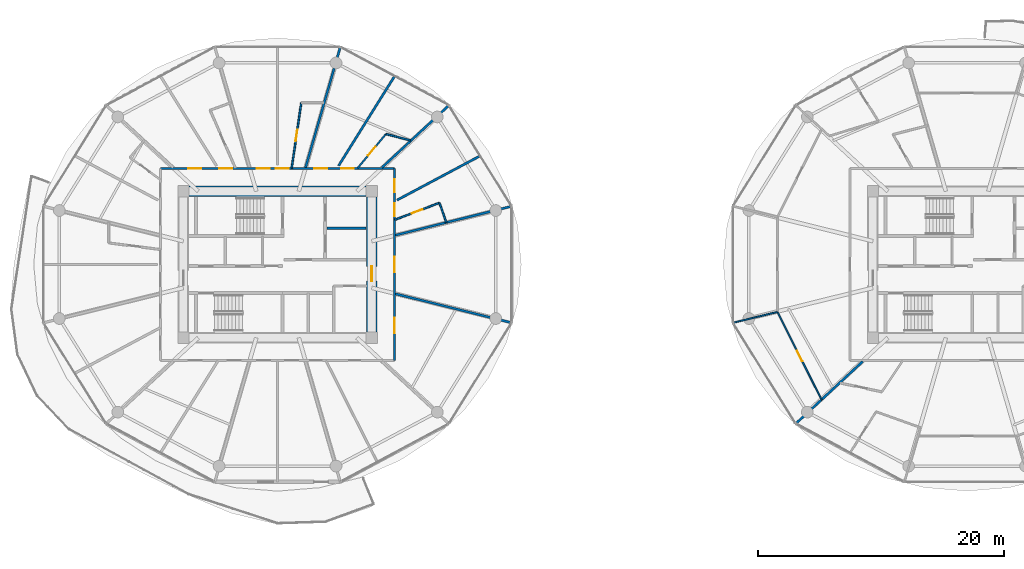
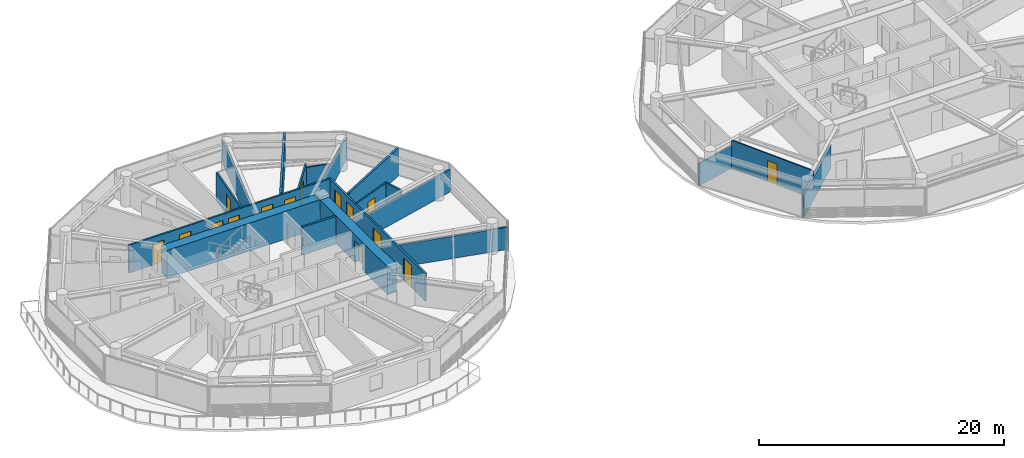
# One storey, part 17 of 27: 19 walls, 15 doors, 15 openings.
"""IFC4 building model written with IfcOpenShell, lengths in metres."""

from ifc_helpers import new_model, si_unit, direction, frame, frame_2d, origin, place, context, subcontext, project, spatial, rectangle, extrude, source, transform, mapped, material, layer, layer_set, type_object, type_shapes, element, fill, save


model = new_model("IFC4")

# Units and contexts
model_context = context("Model", 3, precision=1e-05, world=origin(), true_north=direction((0.0, 1.0)))
body_context = subcontext(model_context, "Body", "Model", "MODEL_VIEW")
ifc_project = project(units=[si_unit("LENGTHUNIT", "METRE"), si_unit("AREAUNIT", "SQUARE_METRE"), si_unit("VOLUMEUNIT", "CUBIC_METRE"), si_unit("PLANEANGLEUNIT", "RADIAN"), si_unit("MASSUNIT", "GRAM", prefix="KILO")], contexts=[model_context])

# Site, building, storey
site_placement = place(None, origin())
site = spatial("IfcSite", under=ifc_project, at=site_placement, CompositionType="ELEMENT")
building_placement = place(site_placement, origin())
building = spatial("IfcBuilding", under=site, at=building_placement, Name="Norrkilde Senior Care Towers", CompositionType="ELEMENT")
storey_placement = place(building_placement, frame((0.0, 0.0, 46.0)))
storey = spatial("IfcBuildingStorey", under=building, at=storey_placement, Name="L13", CompositionType="ELEMENT", Elevation=46.0)

# Wall
ifc_material_1 = material(Name="Concrete C60/75", Category="concrete")
ifc_layer_1 = layer(ifc_material_1, 0.85009765625)
ifc_layer_set_1 = layer_set([ifc_layer_1], Name="Concrete C60/75")
wall_type_1 = type_object("IfcWallType", Name="Core Shear Wall Z1 850", PredefinedType="SHEAR", material=ifc_layer_set_1)
shared_shape_1 = source(origin(), body_context, "Body", "SweptSolid", [
    extrude(rectangle(XDim=14.39990234375, YDim=0.85009765625, at=frame_2d((7.199951171875, 0.0))), origin(), (0.0, 0.0, 1.0), 2.7900390625),
])
wall_1_placement = place(storey_placement, frame((-35.199951171875, 5.949951171875, 0.0), z_axis=(0.0, 0.0, 1.0), x_axis=(1.0, 0.0, 0.0)))
element("IfcWall", 1, at=wall_1_placement, inside=storey, type_object=wall_type_1, Name="L13 Core W North Shear Wall", PredefinedType="SHEAR", context=body_context, shape_type="MappedRepresentation", body=[
    mapped(shared_shape_1, transform((0.0, 0.0, 0.0), x_axis=(1.0, 0.0, 0.0), y_axis=(0.0, 1.0, 0.0), z_axis=(0.0, 0.0, 1.0), scale=1.0)),
])

# Wall, opening, door
shared_shape_2 = source(origin(), body_context, "Body", "SweptSolid", [
    extrude(rectangle(XDim=11.0, YDim=0.85009765625, at=frame_2d((5.5, 0.0))), origin(), (0.0, 0.0, 1.0), 2.7900390625),
])
type_shapes(wall_type_1, [shared_shape_1, shared_shape_2])
wall_2_placement = place(storey_placement, frame((-20.35009765625, 5.5, 0.0), z_axis=(0.0, 0.0, 1.0), x_axis=(0.0, -1.0, 0.0)))
wall_2 = element("IfcWall", 2, at=wall_2_placement, inside=storey, type_object=wall_type_1, Name="L13 Core W East Shear Wall", PredefinedType="SHEAR", context=body_context, shape_type="MappedRepresentation", body=[
    mapped(shared_shape_2, transform((0.0, 0.0, 0.0), x_axis=(1.0, 0.0, 0.0), y_axis=(0.0, 1.0, 0.0), z_axis=(0.0, 0.0, 1.0), scale=1.0)),
])
opening_1_placement = place(wall_2_placement, frame((5.64990234375, 0.0, 0.0)))
opening_1 = element("IfcOpeningElement", 3, at=opening_1_placement, cuts=wall_2, Name="Opening D-04", PredefinedType="OPENING", context=body_context, shape_type="SweptSolid", body=[
    extrude(rectangle(XDim=1.199951171875, YDim=2.14990234375, at=frame_2d((0.60009765625, 1.074951171875))), frame((0.0, 0.43505859375, 0.0), z_axis=(0.0, -1.0, 0.0), x_axis=(1.0, 0.0, 0.0)), (0.0, 0.0, 1.0), 0.8701171875),
])
ifc_material_2 = material(Name="Galvanised Painted Steel", Category="steel")
door_type_1 = type_object("IfcDoorType", Name="Firefighting Lobby Fire Door 1200x2150", OperationType="NOTDEFINED", PredefinedType="DOOR", material=ifc_material_2)
shared_shape_3 = source(origin(), body_context, "Body", "SweptSolid", [
    extrude(rectangle(XDim=1.199951171875, YDim=2.14990234375, at=frame_2d((0.60009765625, 1.074951171875))), frame((0.0, 0.02490234375, 0.0), z_axis=(0.0, -1.0, 0.0), x_axis=(1.0, 0.0, 0.0)), (0.0, 0.0, 1.0), 0.050048828125),
])
type_shapes(door_type_1, [shared_shape_3])
door_1_placement = place(opening_1_placement, frame((1.199951171875, 0.0, 0.0), z_axis=(0.0, 0.0, 1.0), x_axis=(-1.0, 0.0, 0.0)))
door_1 = element("IfcDoor", 4, at=door_1_placement, inside=storey, type_object=door_type_1, Name="L13 Core W East Portal Door", OperationType="SINGLE_SWING_RIGHT", OverallHeight=2.14990234375, OverallWidth=1.199951171875, PredefinedType="DOOR", context=body_context, shape_type="MappedRepresentation", body=[
    mapped(shared_shape_3, transform((0.0, 0.0, 0.0), x_axis=(1.0, 0.0, 0.0), y_axis=(0.0, 1.0, 0.0), z_axis=(0.0, 0.0, 1.0), scale=1.0)),
])
fill(opening_1, door_1)

# Wall
ifc_material_3 = material(Name="Concrete C45/55", Category="concrete")
ifc_layer_2 = layer(ifc_material_3, 0.199951171875)
ifc_layer_set_2 = layer_set([ifc_layer_2], Name="Concrete C45/55")
wall_type_2 = type_object("IfcWallType", Name="Shaft Division and Plant Partition 200", PredefinedType="PARTITIONING", material=ifc_layer_set_2)
shared_shape_4 = source(origin(), body_context, "Body", "SweptSolid", [
    extrude(rectangle(XDim=3.199951171875, YDim=0.199951171875, at=frame_2d((1.60009765625, 0.0))), origin(), (0.0, 0.0, 1.0), 2.77490234375),
])
type_shapes(wall_type_2, [shared_shape_4])
wall_3_placement = place(storey_placement, frame((-24.0, 2.949951171875, 0.0), z_axis=(0.0, 0.0, 1.0), x_axis=(1.0, 0.0, 0.0)))
element("IfcWall", 5, at=wall_3_placement, inside=storey, type_object=wall_type_2, Name="WL-INT-L13-W-FFLDIV", PredefinedType="PARTITIONING", context=body_context, shape_type="MappedRepresentation", body=[
    mapped(shared_shape_4, transform((0.0, 0.0, 0.0), x_axis=(1.0, 0.0, 0.0), y_axis=(0.0, 1.0, 0.0), z_axis=(0.0, 0.0, 1.0), scale=1.0)),
])

# Wall, openings, doors
ifc_material_4 = material(Name="Gypsum Acoustic Board")
ifc_layer_3 = layer(ifc_material_4, 0.1650390625)
ifc_layer_set_3 = layer_set([ifc_layer_3], Name="Gypsum Acoustic Board")
wall_type_3 = type_object("IfcWallType", Name="Corridor Rated Partition 165", PredefinedType="PARTITIONING", material=ifc_layer_set_3)
shared_shape_5 = source(origin(), body_context, "Body", "SweptSolid", [
    extrude(rectangle(XDim=19.0, YDim=0.1650390625, at=frame_2d((9.5, 0.0))), origin(), (0.0, 0.0, 1.0), 2.77490234375),
])
wall_4_placement = place(storey_placement, frame((-37.5, 7.800048828125, 0.0), z_axis=(0.0, 0.0, 1.0), x_axis=(1.0, 0.0, 0.0)))
wall_4 = element("IfcWall", 6, at=wall_4_placement, inside=storey, type_object=wall_type_3, Name="WL-INT-L13-W-CRW-N-0", PredefinedType="PARTITIONING", context=body_context, shape_type="MappedRepresentation", body=[
    mapped(shared_shape_5, transform((0.0, 0.0, 0.0), x_axis=(1.0, 0.0, 0.0), y_axis=(0.0, 1.0, 0.0), z_axis=(0.0, 0.0, 1.0), scale=1.0)),
])
opening_2_placement = place(wall_4_placement, frame((4.77294921875, 0.0, 0.0)))
opening_2 = element("IfcOpeningElement", 7, at=opening_2_placement, cuts=wall_4, Name="Opening D-06", PredefinedType="OPENING", context=body_context, shape_type="SweptSolid", body=[
    extrude(rectangle(XDim=1.050048828125, YDim=2.14990234375, at=frame_2d((0.52490234375, 1.074951171875))), frame((0.0, 0.092529296875, 0.0), z_axis=(0.0, -1.0, 0.0), x_axis=(1.0, 0.0, 0.0)), (0.0, 0.0, 1.0), 0.18505859375),
])
opening_3_placement = place(wall_4_placement, frame((2.251220703125, 0.0, 0.0)))
opening_3 = element("IfcOpeningElement", 8, at=opening_3_placement, cuts=wall_4, Name="Opening D-06", PredefinedType="OPENING", context=body_context, shape_type="SweptSolid", body=[
    extrude(rectangle(XDim=1.050048828125, YDim=2.14990234375, at=frame_2d((0.52490234375, 1.074951171875))), frame((0.0, 0.092529296875, 0.0), z_axis=(0.0, -1.0, 0.0), x_axis=(1.0, 0.0, 0.0)), (0.0, 0.0, 1.0), 0.18505859375),
])
opening_4_placement = place(wall_4_placement, frame((14.6533203125, 0.0, 0.0)))
opening_4 = element("IfcOpeningElement", 9, at=opening_4_placement, cuts=wall_4, Name="Opening D-06", PredefinedType="OPENING", context=body_context, shape_type="SweptSolid", body=[
    extrude(rectangle(XDim=1.050048828125, YDim=2.14990234375, at=frame_2d((0.52490234375, 1.074951171875))), frame((0.0, 0.092529296875, 0.0), z_axis=(0.0, -1.0, 0.0), x_axis=(1.0, 0.0, 0.0)), (0.0, 0.0, 1.0), 0.18505859375),
])
opening_5_placement = place(wall_4_placement, frame((12.499755859375, 0.0, 0.0)))
opening_5 = element("IfcOpeningElement", 10, at=opening_5_placement, cuts=wall_4, Name="Opening D-06", PredefinedType="OPENING", context=body_context, shape_type="SweptSolid", body=[
    extrude(rectangle(XDim=1.050048828125, YDim=2.14990234375, at=frame_2d((0.52490234375, 1.074951171875))), frame((0.0, 0.092529296875, 0.0), z_axis=(0.0, -1.0, 0.0), x_axis=(1.0, 0.0, 0.0)), (0.0, 0.0, 1.0), 0.18505859375),
])
opening_6_placement = place(wall_4_placement, frame((9.351806640625, 0.0, 0.0)))
opening_6 = element("IfcOpeningElement", 11, at=opening_6_placement, cuts=wall_4, Name="Opening D-06", PredefinedType="OPENING", context=body_context, shape_type="SweptSolid", body=[
    extrude(rectangle(XDim=1.050048828125, YDim=2.14990234375, at=frame_2d((0.52490234375, 1.074951171875))), frame((0.0, 0.092529296875, 0.0), z_axis=(0.0, -1.0, 0.0), x_axis=(1.0, 0.0, 0.0)), (0.0, 0.0, 1.0), 0.18505859375),
])
opening_7_placement = place(wall_4_placement, frame((7.806396484375, 0.0, 0.0)))
opening_7 = element("IfcOpeningElement", 12, at=opening_7_placement, cuts=wall_4, Name="Opening D-06", PredefinedType="OPENING", context=body_context, shape_type="SweptSolid", body=[
    extrude(rectangle(XDim=1.050048828125, YDim=2.14990234375, at=frame_2d((0.52490234375, 1.074951171875))), frame((0.0, 0.092529296875, 0.0), z_axis=(0.0, -1.0, 0.0), x_axis=(1.0, 0.0, 0.0)), (0.0, 0.0, 1.0), 0.18505859375),
])
ifc_material_5 = material(Name="Nordic Ash Timber", Category="wood")
door_type_2 = type_object("IfcDoorType", Name="Apartment Entrance Fire Door 1050x2150", OperationType="NOTDEFINED", PredefinedType="DOOR", material=ifc_material_5)
shared_shape_6 = source(origin(), body_context, "Body", "SweptSolid", [
    extrude(rectangle(XDim=1.050048828125, YDim=2.14990234375, at=frame_2d((0.52490234375, 1.074951171875))), frame((0.0, 0.02490234375, 0.0), z_axis=(0.0, -1.0, 0.0), x_axis=(1.0, 0.0, 0.0)), (0.0, 0.0, 1.0), 0.050048828125),
])
type_shapes(door_type_2, [shared_shape_6])
door_2_placement = place(opening_2_placement, frame((1.050048828125, 0.0, 0.0), z_axis=(0.0, 0.0, 1.0), x_axis=(-1.0, 0.0, 0.0)))
door_2 = element("IfcDoor", 13, at=door_2_placement, inside=storey, type_object=door_type_2, Name="L13 Care Suite 1303A Entrance Door", OperationType="SINGLE_SWING_LEFT", OverallHeight=2.14990234375, OverallWidth=1.050048828125, PredefinedType="DOOR", context=body_context, shape_type="MappedRepresentation", body=[
    mapped(shared_shape_6, transform((0.0, 0.0, 0.0), x_axis=(1.0, 0.0, 0.0), y_axis=(0.0, 1.0, 0.0), z_axis=(0.0, 0.0, 1.0), scale=1.0)),
])
fill(opening_2, door_2)
door_3_placement = place(opening_3_placement, frame((1.050048828125, 0.0, 0.0), z_axis=(0.0, 0.0, 1.0), x_axis=(-1.0, 0.0, 0.0)))
door_3 = element("IfcDoor", 14, at=door_3_placement, inside=storey, type_object=door_type_2, Name="L13 Therapy Day Lounge 03 Door", OperationType="SINGLE_SWING_LEFT", OverallHeight=2.14990234375, OverallWidth=1.050048828125, PredefinedType="DOOR", context=body_context, shape_type="MappedRepresentation", body=[
    mapped(shared_shape_6, transform((0.0, 0.0, 0.0), x_axis=(1.0, 0.0, 0.0), y_axis=(0.0, 1.0, 0.0), z_axis=(0.0, 0.0, 1.0), scale=1.0)),
])
fill(opening_3, door_3)
door_4_placement = place(opening_4_placement, frame((1.050048828125, 0.0, 0.0), z_axis=(0.0, 0.0, 1.0), x_axis=(-1.0, 0.0, 0.0)))
door_4 = element("IfcDoor", 15, at=door_4_placement, inside=storey, type_object=door_type_2, Name="L13 Care Suite 1301A Entrance Door", OperationType="SINGLE_SWING_LEFT", OverallHeight=2.14990234375, OverallWidth=1.050048828125, PredefinedType="DOOR", context=body_context, shape_type="MappedRepresentation", body=[
    mapped(shared_shape_6, transform((0.0, 0.0, 0.0), x_axis=(1.0, 0.0, 0.0), y_axis=(0.0, 1.0, 0.0), z_axis=(0.0, 0.0, 1.0), scale=1.0)),
])
fill(opening_4, door_4)
door_5_placement = place(opening_5_placement, frame((1.050048828125, 0.0, 0.0), z_axis=(0.0, 0.0, 1.0), x_axis=(-1.0, 0.0, 0.0)))
door_5 = element("IfcDoor", 16, at=door_5_placement, inside=storey, type_object=door_type_2, Name="L13 Therapy Day Lounge 01 Door", OperationType="SINGLE_SWING_LEFT", OverallHeight=2.14990234375, OverallWidth=1.050048828125, PredefinedType="DOOR", context=body_context, shape_type="MappedRepresentation", body=[
    mapped(shared_shape_6, transform((0.0, 0.0, 0.0), x_axis=(1.0, 0.0, 0.0), y_axis=(0.0, 1.0, 0.0), z_axis=(0.0, 0.0, 1.0), scale=1.0)),
])
fill(opening_5, door_5)
door_6_placement = place(opening_6_placement, frame((1.050048828125, 0.0, 0.0), z_axis=(0.0, 0.0, 1.0), x_axis=(-1.0, 0.0, 0.0)))
door_6 = element("IfcDoor", 17, at=door_6_placement, inside=storey, type_object=door_type_2, Name="L13 Care Suite 1302A Entrance Door", OperationType="SINGLE_SWING_RIGHT", OverallHeight=2.14990234375, OverallWidth=1.050048828125, PredefinedType="DOOR", context=body_context, shape_type="MappedRepresentation", body=[
    mapped(shared_shape_6, transform((0.0, 0.0, 0.0), x_axis=(1.0, 0.0, 0.0), y_axis=(0.0, 1.0, 0.0), z_axis=(0.0, 0.0, 1.0), scale=1.0)),
])
fill(opening_6, door_6)
door_7_placement = place(opening_7_placement, frame((1.050048828125, 0.0, 0.0), z_axis=(0.0, 0.0, 1.0), x_axis=(-1.0, 0.0, 0.0)))
door_7 = element("IfcDoor", 18, at=door_7_placement, inside=storey, type_object=door_type_2, Name="L13 Therapy Day Lounge 02 Door", OperationType="SINGLE_SWING_RIGHT", OverallHeight=2.14990234375, OverallWidth=1.050048828125, PredefinedType="DOOR", context=body_context, shape_type="MappedRepresentation", body=[
    mapped(shared_shape_6, transform((0.0, 0.0, 0.0), x_axis=(1.0, 0.0, 0.0), y_axis=(0.0, 1.0, 0.0), z_axis=(0.0, 0.0, 1.0), scale=1.0)),
])
fill(opening_7, door_7)

shared_shape_7 = source(origin(), body_context, "Body", "SweptSolid", [
    extrude(rectangle(XDim=15.60009765625, YDim=0.1650390625, at=frame_2d((7.800048828125, 0.0))), origin(), (0.0, 0.0, 1.0), 2.77490234375),
])
type_shapes(wall_type_3, [shared_shape_5, shared_shape_7])
wall_5_placement = place(storey_placement, frame((-18.5, 7.800048828125, 0.0), z_axis=(0.0, 0.0, 1.0), x_axis=(0.0, -1.0, 0.0)))
wall_5 = element("IfcWall", 19, at=wall_5_placement, inside=storey, type_object=wall_type_3, Name="WL-INT-L13-W-CRW-E-0", PredefinedType="PARTITIONING", context=body_context, shape_type="MappedRepresentation", body=[
    mapped(shared_shape_7, transform((0.0, 0.0, 0.0), x_axis=(1.0, 0.0, 0.0), y_axis=(0.0, 1.0, 0.0), z_axis=(0.0, 0.0, 1.0), scale=1.0)),
])
opening_8_placement = place(wall_5_placement, frame((12.141357421875, 0.0, 0.0)))
opening_8 = element("IfcOpeningElement", 20, at=opening_8_placement, cuts=wall_5, Name="Opening D-05", PredefinedType="OPENING", context=body_context, shape_type="SweptSolid", body=[
    extrude(rectangle(XDim=1.25, YDim=2.199951171875, at=frame_2d((0.625, 1.10009765625))), frame((0.0, 0.092529296875, 0.0), z_axis=(0.0, -1.0, 0.0), x_axis=(1.0, 0.0, 0.0)), (0.0, 0.0, 1.0), 0.18505859375),
])
opening_9_placement = place(wall_5_placement, frame((7.175048828125, 0.0, 0.0)))
opening_9 = element("IfcOpeningElement", 21, at=opening_9_placement, cuts=wall_5, Name="Opening D-05", PredefinedType="OPENING", context=body_context, shape_type="SweptSolid", body=[
    extrude(rectangle(XDim=1.25, YDim=2.199951171875, at=frame_2d((0.625, 1.10009765625))), frame((0.0, 0.092529296875, 0.0), z_axis=(0.0, -1.0, 0.0), x_axis=(1.0, 0.0, 0.0)), (0.0, 0.0, 1.0), 0.18505859375),
])
opening_10_placement = place(wall_5_placement, frame((2.826416015625, 0.0, 0.0)))
opening_10 = element("IfcOpeningElement", 22, at=opening_10_placement, cuts=wall_5, Name="Opening D-06", PredefinedType="OPENING", context=body_context, shape_type="SweptSolid", body=[
    extrude(rectangle(XDim=1.050048828125, YDim=2.14990234375, at=frame_2d((0.52490234375, 1.074951171875))), frame((0.0, 0.092529296875, 0.0), z_axis=(0.0, -1.0, 0.0), x_axis=(1.0, 0.0, 0.0)), (0.0, 0.0, 1.0), 0.18505859375),
])
opening_11_placement = place(wall_5_placement, frame((0.88134765625, 0.0, 0.0)))
opening_11 = element("IfcOpeningElement", 23, at=opening_11_placement, cuts=wall_5, Name="Opening D-06", PredefinedType="OPENING", context=body_context, shape_type="SweptSolid", body=[
    extrude(rectangle(XDim=1.050048828125, YDim=2.14990234375, at=frame_2d((0.52490234375, 1.074951171875))), frame((0.0, 0.092529296875, 0.0), z_axis=(0.0, -1.0, 0.0), x_axis=(1.0, 0.0, 0.0)), (0.0, 0.0, 1.0), 0.18505859375),
])
door_type_3 = type_object("IfcDoorType", Name="Care Bedroom Bariatric Door 1250x2200", OperationType="NOTDEFINED", PredefinedType="DOOR", material=ifc_material_5)
shared_shape_8 = source(origin(), body_context, "Body", "SweptSolid", [
    extrude(rectangle(XDim=1.25, YDim=2.199951171875, at=frame_2d((0.625, 1.10009765625))), frame((0.0, 0.02490234375, 0.0), z_axis=(0.0, -1.0, 0.0), x_axis=(1.0, 0.0, 0.0)), (0.0, 0.0, 1.0), 0.050048828125),
])
type_shapes(door_type_3, [shared_shape_8])
door_8_placement = place(opening_8_placement, frame((1.25, 0.0, 0.0), z_axis=(0.0, 0.0, 1.0), x_axis=(-1.0, 0.0, 0.0)))
door_8 = element("IfcDoor", 24, at=door_8_placement, inside=storey, type_object=door_type_3, Name="L13 Resident Therapeutic Day Lounge Door", OperationType="SINGLE_SWING_LEFT", OverallHeight=2.199951171875, OverallWidth=1.25, PredefinedType="DOOR", context=body_context, shape_type="MappedRepresentation", body=[
    mapped(shared_shape_8, transform((0.0, 0.0, 0.0), x_axis=(1.0, 0.0, 0.0), y_axis=(0.0, 1.0, 0.0), z_axis=(0.0, 0.0, 1.0), scale=1.0)),
])
fill(opening_8, door_8)
door_9_placement = place(opening_9_placement, frame((1.25, 0.0, 0.0), z_axis=(0.0, 0.0, 1.0), x_axis=(-1.0, 0.0, 0.0)))
door_9 = element("IfcDoor", 25, at=door_9_placement, inside=storey, type_object=door_type_3, Name="L13 Household Therapeutic Kitchen Door", OperationType="SINGLE_SWING_RIGHT", OverallHeight=2.199951171875, OverallWidth=1.25, PredefinedType="DOOR", context=body_context, shape_type="MappedRepresentation", body=[
    mapped(shared_shape_8, transform((0.0, 0.0, 0.0), x_axis=(1.0, 0.0, 0.0), y_axis=(0.0, 1.0, 0.0), z_axis=(0.0, 0.0, 1.0), scale=1.0)),
])
fill(opening_9, door_9)
door_10_placement = place(opening_10_placement, frame((1.050048828125, 0.0, 0.0), z_axis=(0.0, 0.0, 1.0), x_axis=(-1.0, 0.0, 0.0)))
door_10 = element("IfcDoor", 26, at=door_10_placement, inside=storey, type_object=door_type_2, Name="L13 Care Suite 1300A Entrance Door", OperationType="SINGLE_SWING_RIGHT", OverallHeight=2.14990234375, OverallWidth=1.050048828125, PredefinedType="DOOR", context=body_context, shape_type="MappedRepresentation", body=[
    mapped(shared_shape_6, transform((0.0, 0.0, 0.0), x_axis=(1.0, 0.0, 0.0), y_axis=(0.0, 1.0, 0.0), z_axis=(0.0, 0.0, 1.0), scale=1.0)),
])
fill(opening_10, door_10)
door_11_placement = place(opening_11_placement, frame((1.050048828125, 0.0, 0.0), z_axis=(0.0, 0.0, 1.0), x_axis=(-1.0, 0.0, 0.0)))
door_11 = element("IfcDoor", 27, at=door_11_placement, inside=storey, type_object=door_type_2, Name="L13 Therapy Day Lounge 00 Door", OperationType="SINGLE_SWING_RIGHT", OverallHeight=2.14990234375, OverallWidth=1.050048828125, PredefinedType="DOOR", context=body_context, shape_type="MappedRepresentation", body=[
    mapped(shared_shape_6, transform((0.0, 0.0, 0.0), x_axis=(1.0, 0.0, 0.0), y_axis=(0.0, 1.0, 0.0), z_axis=(0.0, 0.0, 1.0), scale=1.0)),
])
fill(opening_11, door_11)

# Wall
ifc_layer_4 = layer(ifc_material_4, 0.18994140625)
ifc_layer_set_4 = layer_set([ifc_layer_4], Name="Gypsum Acoustic Board")
wall_type_4 = type_object("IfcWallType", Name="Unit Demising Acoustic Wall 190", PredefinedType="PARTITIONING", material=ifc_layer_set_4)
shared_shape_9 = source(origin(), body_context, "Body", "SweptSolid", [
    extrude(rectangle(XDim=8.59814453125, YDim=0.18994140625, at=frame_2d((4.299072265625, 0.0))), origin(), (0.0, 0.0, 1.0), 2.77490234375),
])
wall_6_placement = place(storey_placement, frame((-23.04296875, 8.017333984375, 0.0), z_axis=(0.0, 0.0, 1.0), x_axis=(0.530039776395, 0.847972779893, 0.0)))
element("IfcWall", 28, at=wall_6_placement, inside=storey, type_object=wall_type_4, Name="WL-INT-L13-W-CMID-01", PredefinedType="PARTITIONING", context=body_context, shape_type="MappedRepresentation", body=[
    mapped(shared_shape_9, transform((0.0, 0.0, 0.0), x_axis=(1.0, 0.0, 0.0), y_axis=(0.0, 1.0, 0.0), z_axis=(0.0, 0.0, 1.0), scale=1.0)),
])

# Wall, opening, door
ifc_layer_5 = layer(ifc_material_4, 0.139892578125)
ifc_layer_set_5 = layer_set([ifc_layer_5], Name="Gypsum Acoustic Board")
wall_type_5 = type_object("IfcWallType", Name="En-suite Wet Room Wall 140", PredefinedType="PARTITIONING", material=ifc_layer_set_5)
shared_shape_10 = source(origin(), body_context, "Body", "SweptSolid", [
    extrude(rectangle(XDim=3.594482421875, YDim=0.139892578125, at=frame_2d((1.79736328125, 0.0))), origin(), (0.0, 0.0, 1.0), 2.77490234375),
])
wall_7_placement = place(storey_placement, frame((-21.49560546875, 7.830078125, 0.0), z_axis=(0.0, 0.0, 1.0), x_axis=(0.639001147083, 0.769205781326, 0.0)))
wall_7 = element("IfcWall", 29, at=wall_7_placement, inside=storey, type_object=wall_type_5, Name="WL-INT-L13-W-ES-01A", PredefinedType="PARTITIONING", context=body_context, shape_type="MappedRepresentation", body=[
    mapped(shared_shape_10, transform((0.0, 0.0, 0.0), x_axis=(1.0, 0.0, 0.0), y_axis=(0.0, 1.0, 0.0), z_axis=(0.0, 0.0, 1.0), scale=1.0)),
])
opening_12_placement = place(wall_7_placement, frame((1.33740234375, 0.0, 0.0)))
opening_12 = element("IfcOpeningElement", 30, at=opening_12_placement, cuts=wall_7, Name="Opening D-08", PredefinedType="OPENING", context=body_context, shape_type="SweptSolid", body=[
    extrude(rectangle(XDim=0.919921875, YDim=2.10009765625, at=frame_2d((0.4599609375, 1.050048828125))), frame((0.0, 0.079833984375, 0.0), z_axis=(0.0, -1.0, 0.0), x_axis=(1.0, 0.0, 0.0)), (0.0, 0.0, 1.0), 0.159912109375),
])
door_type_4 = type_object("IfcDoorType", Name="Accessible Wet Room Door 920x2100", OperationType="NOTDEFINED", PredefinedType="DOOR", material=ifc_material_5)
shared_shape_11 = source(origin(), body_context, "Body", "SweptSolid", [
    extrude(rectangle(XDim=0.919921875, YDim=2.10009765625, at=frame_2d((0.4599609375, 1.050048828125))), frame((0.0, 0.02490234375, 0.0), z_axis=(0.0, -1.0, 0.0), x_axis=(1.0, 0.0, 0.0)), (0.0, 0.0, 1.0), 0.050048828125),
])
type_shapes(door_type_4, [shared_shape_11])
door_12_placement = place(opening_12_placement, origin())
door_12 = element("IfcDoor", 31, at=door_12_placement, inside=storey, type_object=door_type_4, Name="L13 Care Suite 1301A Bathroom Door", OperationType="SINGLE_SWING_RIGHT", OverallHeight=2.10009765625, OverallWidth=0.919921875, PredefinedType="DOOR", context=body_context, shape_type="MappedRepresentation", body=[
    mapped(shared_shape_11, transform((0.0, 0.0, 0.0), x_axis=(1.0, 0.0, 0.0), y_axis=(0.0, 1.0, 0.0), z_axis=(0.0, 0.0, 1.0), scale=1.0)),
])
fill(opening_12, door_12)

# Wall
shared_shape_12 = source(origin(), body_context, "Body", "SweptSolid", [
    extrude(rectangle(XDim=7.6767578125, YDim=0.18994140625, at=frame_2d((3.83837890625, 0.0))), origin(), (0.0, 0.0, 1.0), 2.77490234375),
])
wall_8_placement = place(storey_placement, frame((-18.296875, 5.23095703125, 0.0), z_axis=(0.0, 0.0, 1.0), x_axis=(0.882725057546, 0.469889851753, 0.0)))
element("IfcWall", 32, at=wall_8_placement, inside=storey, type_object=wall_type_4, Name="WL-INT-L13-W-CMID-00", PredefinedType="PARTITIONING", context=body_context, shape_type="MappedRepresentation", body=[
    mapped(shared_shape_12, transform((0.0, 0.0, 0.0), x_axis=(1.0, 0.0, 0.0), y_axis=(0.0, 1.0, 0.0), z_axis=(0.0, 0.0, 1.0), scale=1.0)),
])

# Wall, opening, door
shared_shape_13 = source(origin(), body_context, "Body", "SweptSolid", [
    extrude(rectangle(XDim=3.8740234375, YDim=0.139892578125, at=frame_2d((1.93701171875, 0.0))), origin(), (0.0, 0.0, 1.0), 2.77490234375),
])
wall_9_placement = place(storey_placement, frame((-18.469970703125, 3.631591796875, 0.0), z_axis=(0.0, 0.0, 1.0), x_axis=(0.934461775659, 0.35606346321, 0.0)))
wall_9 = element("IfcWall", 33, at=wall_9_placement, inside=storey, type_object=wall_type_5, Name="WL-INT-L13-W-ES-00A", PredefinedType="PARTITIONING", context=body_context, shape_type="MappedRepresentation", body=[
    mapped(shared_shape_13, transform((0.0, 0.0, 0.0), x_axis=(1.0, 0.0, 0.0), y_axis=(0.0, 1.0, 0.0), z_axis=(0.0, 0.0, 1.0), scale=1.0)),
])
opening_13_placement = place(wall_9_placement, frame((1.47705078125, 0.0, 0.0)))
opening_13 = element("IfcOpeningElement", 34, at=opening_13_placement, cuts=wall_9, Name="Opening D-08", PredefinedType="OPENING", context=body_context, shape_type="SweptSolid", body=[
    extrude(rectangle(XDim=0.919921875, YDim=2.10009765625, at=frame_2d((0.4599609375, 1.050048828125))), frame((0.0, 0.079833984375, 0.0), z_axis=(0.0, -1.0, 0.0), x_axis=(1.0, 0.0, 0.0)), (0.0, 0.0, 1.0), 0.159912109375),
])
door_13_placement = place(opening_13_placement, origin())
door_13 = element("IfcDoor", 35, at=door_13_placement, inside=storey, type_object=door_type_4, Name="L13 Care Suite 1300A Bathroom Door", OperationType="SINGLE_SWING_LEFT", OverallHeight=2.10009765625, OverallWidth=0.919921875, PredefinedType="DOOR", context=body_context, shape_type="MappedRepresentation", body=[
    mapped(shared_shape_11, transform((0.0, 0.0, 0.0), x_axis=(1.0, 0.0, 0.0), y_axis=(0.0, 1.0, 0.0), z_axis=(0.0, 0.0, 1.0), scale=1.0)),
])
fill(opening_13, door_13)

# Wall
shared_shape_14 = source(origin(), body_context, "Body", "SweptSolid", [
    extrude(rectangle(XDim=1.67578125, YDim=0.139892578125, at=frame_2d((0.837890625, 0.0))), origin(), (0.0, 0.0, 1.0), 2.77490234375),
])
wall_10_placement = place(storey_placement, frame((-14.849853515625, 5.010986328125, 0.0), z_axis=(0.0, 0.0, 1.0), x_axis=(0.327785970556, -0.944752008469, 0.0)))
element("IfcWall", 36, at=wall_10_placement, inside=storey, type_object=wall_type_5, Name="WL-INT-L13-W-EF-00A", PredefinedType="PARTITIONING", context=body_context, shape_type="MappedRepresentation", body=[
    mapped(shared_shape_14, transform((0.0, 0.0, 0.0), x_axis=(1.0, 0.0, 0.0), y_axis=(0.0, 1.0, 0.0), z_axis=(0.0, 0.0, 1.0), scale=1.0)),
])

# Wall, opening, door
ifc_layer_6 = layer(ifc_material_4, 0.114990234375)
ifc_layer_set_6 = layer_set([ifc_layer_6], Name="Gypsum Acoustic Board")
wall_type_6 = type_object("IfcWallType", Name="Internal Room Partition 115", PredefinedType="PARTITIONING", material=ifc_layer_set_6)
shared_shape_15 = source(origin(), body_context, "Body", "SweptSolid", [
    extrude(rectangle(XDim=8.017822265625, YDim=0.114990234375, at=frame_2d((4.0087890625, 0.0))), origin(), (0.0, 0.0, 1.0), 2.77490234375),
])
wall_11_placement = place(storey_placement, frame((12.595947265625, -3.854248046875, 0.0), z_axis=(0.0, 0.0, 1.0), x_axis=(0.450134355233, -0.89296084026, 0.0)))
wall_11 = element("IfcWall", 37, at=wall_11_placement, inside=storey, type_object=wall_type_6, Name="WL-INT-L13-E-UBC-03-3", PredefinedType="PARTITIONING", context=body_context, shape_type="MappedRepresentation", body=[
    mapped(shared_shape_15, transform((0.0, 0.0, 0.0), x_axis=(1.0, 0.0, 0.0), y_axis=(0.0, 1.0, 0.0), z_axis=(0.0, 0.0, 1.0), scale=1.0)),
])
opening_14_placement = place(wall_11_placement, frame((3.533935546875, 0.0, 0.0)))
opening_14 = element("IfcOpeningElement", 38, at=opening_14_placement, cuts=wall_11, Name="Opening D-07", PredefinedType="OPENING", context=body_context, shape_type="SweptSolid", body=[
    extrude(rectangle(XDim=0.949951171875, YDim=2.10009765625, at=frame_2d((0.47509765625, 1.050048828125))), frame((0.0, 0.0673828125, 0.0), z_axis=(0.0, -1.0, 0.0), x_axis=(1.0, 0.0, 0.0)), (0.0, 0.0, 1.0), 0.135009765625),
])
door_type_5 = type_object("IfcDoorType", Name="Internal Suite Bedroom Door 950x2100", OperationType="NOTDEFINED", PredefinedType="DOOR", material=ifc_material_5)
shared_shape_16 = source(origin(), body_context, "Body", "SweptSolid", [
    extrude(rectangle(XDim=0.949951171875, YDim=2.10009765625, at=frame_2d((0.47509765625, 1.050048828125))), frame((0.0, 0.02490234375, 0.0), z_axis=(0.0, -1.0, 0.0), x_axis=(1.0, 0.0, 0.0)), (0.0, 0.0, 1.0), 0.050048828125),
])
type_shapes(door_type_5, [shared_shape_16])
door_14_placement = place(opening_14_placement, origin())
door_14 = element("IfcDoor", 39, at=door_14_placement, inside=storey, type_object=door_type_5, Name="Apartment 13A Bedroom 3 Door", OperationType="SINGLE_SWING_LEFT", OverallHeight=2.10009765625, OverallWidth=0.949951171875, PredefinedType="DOOR", context=body_context, shape_type="MappedRepresentation", body=[
    mapped(shared_shape_16, transform((0.0, 0.0, 0.0), x_axis=(1.0, 0.0, 0.0), y_axis=(0.0, 1.0, 0.0), z_axis=(0.0, 0.0, 1.0), scale=1.0)),
])
fill(opening_14, door_14)

# Walls
shared_shape_17 = source(origin(), body_context, "Body", "SweptSolid", [
    extrude(rectangle(XDim=7.4345703125, YDim=0.18994140625, at=frame_2d((3.71728515625, 0.0))), origin(), (0.0, 0.0, 1.0), 2.22509765625),
])
for number, where, z_axis, x_axis, name in (
    (40, (-19.51708984375, 7.8798828125, 0.0), (0.0, 0.0, 1.0), (0.732651956848, 0.680603489652, 0.0), "WL-INT-L13-W-DEM-01-0"),
    (41, (19.51708984375, -7.8798828125, 0.0), (0.0, 0.0, 1.0), (-0.732651956848, -0.680603489652, 0.0), "WL-INT-L13-E-DEM-07-0"),
):
    element("IfcWall", number, at=place(storey_placement, frame(where, z_axis=z_axis, x_axis=x_axis)), inside=storey, type_object=wall_type_4, Name=name, PredefinedType="PARTITIONING", context=body_context, shape_type="MappedRepresentation", body=[
        mapped(shared_shape_17, transform((0.0, 0.0, 0.0), x_axis=(1.0, 0.0, 0.0), y_axis=(0.0, 1.0, 0.0), z_axis=(0.0, 0.0, 1.0), scale=1.0)),
    ])
shared_shape_18 = source(origin(), body_context, "Body", "SweptSolid", [
    extrude(rectangle(XDim=10.196044921875, YDim=0.18994140625, at=frame_2d((5.09814453125, 0.0))), origin(), (0.0, 0.0, 1.0), 2.22509765625),
])
wall_12_placement = place(storey_placement, frame((-25.72705078125, 7.8798828125, 0.0), z_axis=(0.0, 0.0, 1.0), x_axis=(0.277136420347, 0.960830580549, 0.0)))
element("IfcWall", 42, at=wall_12_placement, inside=storey, type_object=wall_type_4, Name="WL-INT-L13-W-DEM-02-0", PredefinedType="PARTITIONING", context=body_context, shape_type="MappedRepresentation", body=[
    mapped(shared_shape_18, transform((0.0, 0.0, 0.0), x_axis=(1.0, 0.0, 0.0), y_axis=(0.0, 1.0, 0.0), z_axis=(0.0, 0.0, 1.0), scale=1.0)),
])
shared_shape_19 = source(origin(), body_context, "Body", "SweptSolid", [
    extrude(rectangle(XDim=2.06201171875, YDim=0.139892578125, at=frame_2d((1.031005859375, 0.0))), origin(), (0.0, 0.0, 1.0), 2.4150390625),
])
wall_13_placement = place(storey_placement, frame((-19.19873046875, 10.594970703125, 0.0), z_axis=(0.0, 0.0, 1.0), x_axis=(0.968776253543, -0.247936626121, 0.0)))
element("IfcWall", 43, at=wall_13_placement, inside=storey, type_object=wall_type_5, Name="WL-INT-L13-W-EF-01A", PredefinedType="PARTITIONING", context=body_context, shape_type="MappedRepresentation", body=[
    mapped(shared_shape_19, transform((0.0, 0.0, 0.0), x_axis=(1.0, 0.0, 0.0), y_axis=(0.0, 1.0, 0.0), z_axis=(0.0, 0.0, 1.0), scale=1.0)),
])
shared_shape_20 = source(origin(), body_context, "Body", "SweptSolid", [
    extrude(rectangle(XDim=9.737060546875, YDim=0.18994140625, at=frame_2d((4.86865234375, 0.0))), origin(), (0.0, 0.0, 1.0), 2.22509765625),
])
type_shapes(wall_type_4, [shared_shape_9, shared_shape_12, shared_shape_17, shared_shape_18, shared_shape_20])
for number, where, z_axis, x_axis, name in (
    (44, (-18.419921875, -2.384521484375, 0.0), (0.0, 0.0, 1.0), (0.970392716238, -0.241532557375, 0.0), "WL-INT-L13-W-DEM-11-0"),
    (45, (-18.419921875, 2.384521484375, 0.0), (0.0, 0.0, 1.0), (0.970392716238, 0.241532557375, 0.0), "WL-INT-L13-W-DEM-00-0"),
):
    element("IfcWall", number, at=place(storey_placement, frame(where, z_axis=z_axis, x_axis=x_axis)), inside=storey, type_object=wall_type_4, Name=name, PredefinedType="PARTITIONING", context=body_context, shape_type="MappedRepresentation", body=[
        mapped(shared_shape_20, transform((0.0, 0.0, 0.0), x_axis=(1.0, 0.0, 0.0), y_axis=(0.0, 1.0, 0.0), z_axis=(0.0, 0.0, 1.0), scale=1.0)),
    ])

# Wall, opening, door
shared_shape_21 = source(origin(), body_context, "Body", "SweptSolid", [
    extrude(rectangle(XDim=5.36962890625, YDim=0.139892578125, at=frame_2d((2.684814453125, 0.0))), origin(), (0.0, 0.0, 1.0), 2.77490234375),
])
type_shapes(wall_type_5, [shared_shape_10, shared_shape_13, shared_shape_14, shared_shape_19, shared_shape_21])
wall_14_placement = place(storey_placement, frame((-26.851318359375, 7.830078125, 0.0), z_axis=(0.0, 0.0, 1.0), x_axis=(0.145131397853, 0.989412389935, 0.0)))
wall_14 = element("IfcWall", 46, at=wall_14_placement, inside=storey, type_object=wall_type_5, Name="WL-INT-L13-W-ES-02A", PredefinedType="PARTITIONING", context=body_context, shape_type="MappedRepresentation", body=[
    mapped(shared_shape_21, transform((0.0, 0.0, 0.0), x_axis=(1.0, 0.0, 0.0), y_axis=(0.0, 1.0, 0.0), z_axis=(0.0, 0.0, 1.0), scale=1.0)),
])
opening_15_placement = place(wall_14_placement, frame((2.224853515625, 0.0, 0.0)))
opening_15 = element("IfcOpeningElement", 47, at=opening_15_placement, cuts=wall_14, Name="Opening D-08", PredefinedType="OPENING", context=body_context, shape_type="SweptSolid", body=[
    extrude(rectangle(XDim=0.919921875, YDim=2.10009765625, at=frame_2d((0.4599609375, 1.050048828125))), frame((0.0, 0.079833984375, 0.0), z_axis=(0.0, -1.0, 0.0), x_axis=(1.0, 0.0, 0.0)), (0.0, 0.0, 1.0), 0.159912109375),
])
door_15_placement = place(opening_15_placement, origin())
door_15 = element("IfcDoor", 48, at=door_15_placement, inside=storey, type_object=door_type_4, Name="L13 Care Suite 1302A Bathroom Door", OperationType="SINGLE_SWING_LEFT", OverallHeight=2.10009765625, OverallWidth=0.919921875, PredefinedType="DOOR", context=body_context, shape_type="MappedRepresentation", body=[
    mapped(shared_shape_11, transform((0.0, 0.0, 0.0), x_axis=(1.0, 0.0, 0.0), y_axis=(0.0, 1.0, 0.0), z_axis=(0.0, 0.0, 1.0), scale=1.0)),
])
fill(opening_15, door_15)

# Wall
shared_shape_22 = source(origin(), body_context, "Body", "SweptSolid", [
    extrude(rectangle(XDim=3.73046875, YDim=0.114990234375, at=frame_2d((1.865234375, 0.0))), origin(), (0.0, 0.0, 1.0), 2.22509765625),
])
type_shapes(wall_type_6, [shared_shape_15, shared_shape_22])
wall_15_placement = place(storey_placement, frame((12.595947265625, -3.854248046875, 0.0), z_axis=(0.0, 0.0, 1.0), x_axis=(-0.971644038568, -0.236448434791, 0.0)))
element("IfcWall", 49, at=wall_15_placement, inside=storey, type_object=wall_type_6, Name="WL-INT-L13-E-UBR-03-3", PredefinedType="PARTITIONING", context=body_context, shape_type="MappedRepresentation", body=[
    mapped(shared_shape_22, transform((0.0, 0.0, 0.0), x_axis=(1.0, 0.0, 0.0), y_axis=(0.0, 1.0, 0.0), z_axis=(0.0, 0.0, 1.0), scale=1.0)),
])

save(model, "model.ifc")
